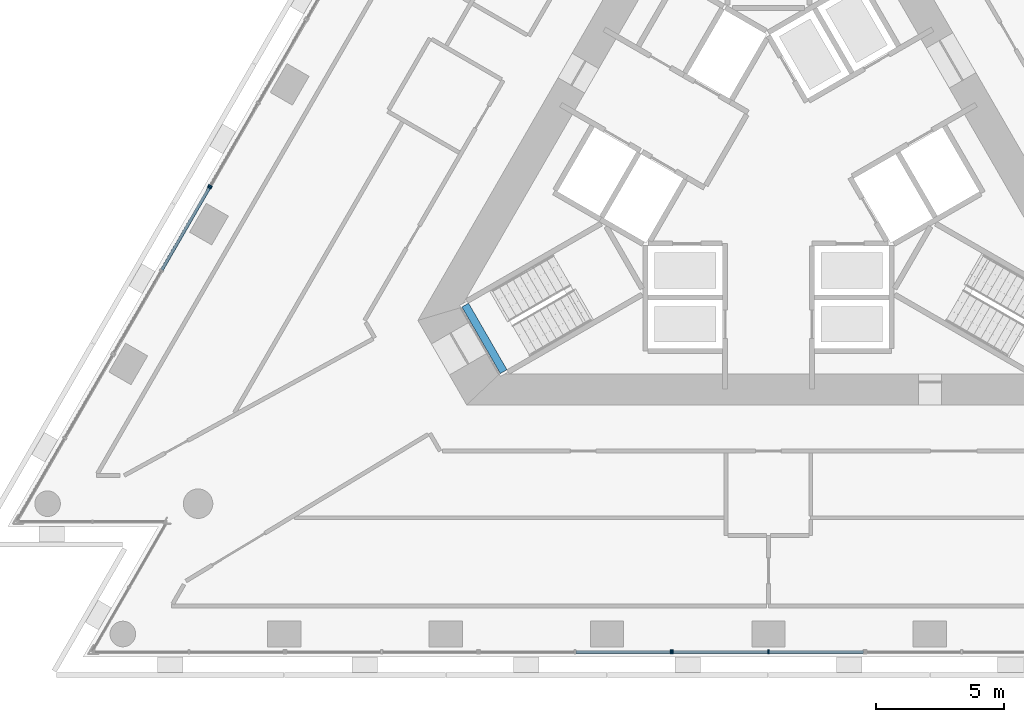
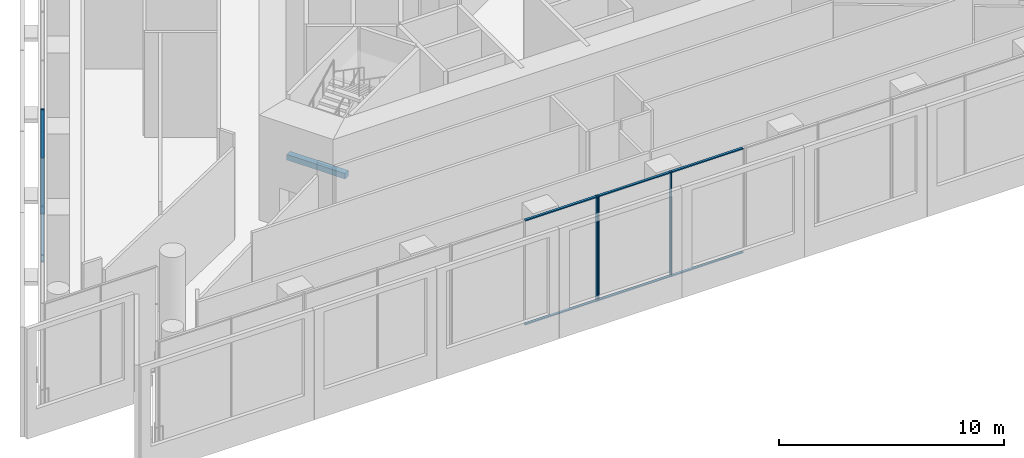
# One storey, part 3 of 18: 13 members, 1 beam, 4 elements without a shape of their own.
"""IFC4 building model written with IfcOpenShell, lengths in metres."""

from ifc_helpers import new_model, si_unit, direction, frame, origin, origin_2d, place, context, subcontext, project, spatial, rectangle, extrude, material, layer, layer_set, material_profile, profile_set, type_object, element, aggregate, save


model = new_model("IFC4")

# Units and contexts
model_context = context("Model", 3, precision=1e-05, world=origin(), true_north=direction((0.0, 1.0)))
body_context = subcontext(model_context, "Body", "Model", "MODEL_VIEW")
ifc_project = project(units=[si_unit("LENGTHUNIT", "METRE"), si_unit("AREAUNIT", "SQUARE_METRE"), si_unit("VOLUMEUNIT", "CUBIC_METRE"), si_unit("PLANEANGLEUNIT", "RADIAN"), si_unit("MASSUNIT", "GRAM", prefix="KILO")], contexts=[model_context])

# Site, building, storey
site_placement = place(None, origin())
site = spatial("IfcSite", under=ifc_project, at=site_placement, CompositionType="ELEMENT")
building_placement = place(site_placement, origin())
building = spatial("IfcBuilding", under=site, at=building_placement, Name="Triada Interchange Tower", CompositionType="ELEMENT")
storey_placement = place(building_placement, frame((0.0, 0.0, 185.300048828125)))
storey = spatial("IfcBuildingStorey", under=building, at=storey_placement, Name="L43", CompositionType="ELEMENT", Elevation=185.300048828125)

# Beam
ifc_material_1 = material(Name="Concrete C35/45", Category="concrete")
ifc_material_profile_1 = material_profile(ifc_material_1, rectangle(XDim=0.300048828125, YDim=0.300048828125, at=origin_2d()), Name="RC 300x300")
ifc_profile_set_1 = profile_set([ifc_material_profile_1], Name="Concrete C35/45")
beam_type = type_object("IfcBeamType", Name="Landing support beam RC 300x300", PredefinedType="BEAM", material=ifc_profile_set_1)
beam_placement = place(storey_placement, frame((-11.8349609375, -5.10107421875, 2.491943359375), z_axis=(0.50002537861, -0.866010750942, 0.0), x_axis=(0.866010750942, 0.50002537861, 0.0)))
element("IfcBeam", 1, at=beam_placement, inside=storey, type_object=beam_type, Name="Landing support beam S43-2 1", PredefinedType="BEAM", context=body_context, shape_type="SweptSolid", body=[
    extrude(rectangle(XDim=0.300048828125, YDim=0.300048828125, at=origin_2d()), origin(), (0.0, 0.0, 1.0), 2.999755859375),
])

# Curtain wall, member
ifc_material_2 = material(Name="Aluminium framed glazing", Category="aluminium")
ifc_layer = layer(ifc_material_2, 0.199951171875)
ifc_layer_set = layer_set([ifc_layer], Name="Curtain wall Sky lobby glazing")
curtain_wall_type = type_object("IfcCurtainWallType", Name="Curtain wall Sky lobby glazing", PredefinedType="NOTDEFINED", material=ifc_layer_set)
curtain_wall_1_placement = place(storey_placement, origin())
curtain_wall_1 = element("IfcCurtainWall", 2, at=curtain_wall_1_placement, inside=storey, type_object=curtain_wall_type, Name="Sky lobby glazing CW105 L43", PredefinedType="NOTDEFINED")
ifc_material_3 = material(Name="Aluminium", Category="aluminium")
ifc_material_profile_2 = material_profile(ifc_material_3, rectangle(XDim=0.159912109375, YDim=0.06005859375, at=origin_2d()), Name="Aluminium mullion")
ifc_profile_set_2 = profile_set([ifc_material_profile_2], Name="Aluminium")
member_type_1 = type_object("IfcMemberType", Name="Mullion Sky lobby glazing 160x60", PredefinedType="MULLION", material=ifc_profile_set_2)
member_1_placement = place(storey_placement, frame((-21.785888671875, -0.453125, 0.0), z_axis=(0.0, 0.0, 1.0), x_axis=(0.866046386007, -0.499963655963, 0.0)))
member_1 = element("IfcMember", 3, at=member_1_placement, type_object=member_type_1, Name="CW105 mullion 3", PredefinedType="MULLION", context=body_context, shape_type="SweptSolid", body=[
    extrude(rectangle(XDim=0.159912109375, YDim=0.06005859375, at=origin_2d()), origin(), (0.0, 0.0, 1.0), 5.699951171875),
])
aggregate(curtain_wall_1, [member_1])

curtain_wall_2_placement = place(storey_placement, origin())
curtain_wall_2 = element("IfcCurtainWall", 4, at=curtain_wall_2_placement, inside=storey, type_object=curtain_wall_type, Name="Sky lobby glazing CW106 L43", PredefinedType="NOTDEFINED")
member_2_placement = place(storey_placement, frame((-21.821044921875, -0.512939453125, 0.0), z_axis=(0.0, 0.0, 1.0), x_axis=(0.86598893184, -0.500063165941, 0.0)))
member_2 = element("IfcMember", 5, at=member_2_placement, type_object=member_type_1, Name="CW106 mullion 1", PredefinedType="MULLION", context=body_context, shape_type="SweptSolid", body=[
    extrude(rectangle(XDim=0.159912109375, YDim=0.06005859375, at=origin_2d()), origin(), (0.0, 0.0, 1.0), 5.699951171875),
])

curtain_wall_3_placement = place(storey_placement, origin())
curtain_wall_3 = element("IfcCurtainWall", 6, at=curtain_wall_3_placement, inside=storey, type_object=curtain_wall_type, Name="Sky lobby glazing CW112 L43", PredefinedType="NOTDEFINED")
member_3_placement = place(storey_placement, frame((-3.80810546875, -18.64111328125, 0.0), z_axis=(0.0, 0.0, 1.0), x_axis=(0.0, 1.0, 0.0)))
member_3 = element("IfcMember", 7, at=member_3_placement, type_object=member_type_1, Name="CW112 mullion 3", PredefinedType="MULLION", context=body_context, shape_type="SweptSolid", body=[
    extrude(rectangle(XDim=0.159912109375, YDim=0.06005859375, at=origin_2d()), origin(), (0.0, 0.0, 1.0), 5.699951171875),
])

# Curtain wall, members
curtain_wall_4_placement = place(storey_placement, origin())
curtain_wall_4 = element("IfcCurtainWall", 8, at=curtain_wall_4_placement, inside=storey, type_object=curtain_wall_type, Name="Sky lobby glazing CW113 L43", PredefinedType="NOTDEFINED")
member_4_placement = place(storey_placement, frame((-3.738037109375, -18.64111328125, 0.0), z_axis=(0.0, 0.0, 1.0), x_axis=(0.0, 1.0, 0.0)))
member_4 = element("IfcMember", 9, at=member_4_placement, type_object=member_type_1, Name="CW113 mullion 1", PredefinedType="MULLION", context=body_context, shape_type="SweptSolid", body=[
    extrude(rectangle(XDim=0.159912109375, YDim=0.06005859375, at=origin_2d()), origin(), (0.0, 0.0, 1.0), 5.699951171875),
])
member_5_placement = place(storey_placement, frame((0.0, -18.64111328125, 0.0), z_axis=(0.0, 0.0, 1.0), x_axis=(0.0, 1.0, 0.0)))
member_5 = element("IfcMember", 10, at=member_5_placement, type_object=member_type_1, Name="CW113 mullion 2", PredefinedType="MULLION", context=body_context, shape_type="SweptSolid", body=[
    extrude(rectangle(XDim=0.159912109375, YDim=0.06005859375, at=origin_2d()), origin(), (0.0, 0.0, 1.0), 5.699951171875),
])

# Member
ifc_material_profile_3 = material_profile(ifc_material_3, rectangle(XDim=0.1201171875, YDim=0.06005859375, at=origin_2d()), Name="Aluminium transom")
ifc_profile_set_3 = profile_set([ifc_material_profile_3], Name="Aluminium")
member_type_2 = type_object("IfcMemberType", Name="Transom Sky lobby glazing 120x60", PredefinedType="USERDEFINED", material=ifc_profile_set_3)
member_6_placement = place(storey_placement, frame((-21.8359375, -0.5390625, 0.030029296875), z_axis=(-0.500086294141, -0.865975576106, 0.0), x_axis=(0.865975576106, -0.500086294141, 0.0)))
member_6 = element("IfcMember", 11, at=member_6_placement, type_object=member_type_2, Name="CW106 transom 1.1", ObjectType="TRANSOM", PredefinedType="USERDEFINED", context=body_context, shape_type="SweptSolid", body=[
    extrude(rectangle(XDim=0.1201171875, YDim=0.06005859375, at=origin_2d()), origin(), (0.0, 0.0, 1.0), 3.678466796875),
])

member_7_placement = place(storey_placement, frame((-21.8359375, -0.5390625, 5.669921875), z_axis=(-0.500086294141, -0.865975576106, 0.0), x_axis=(0.865975576106, -0.500086294141, 0.0)))
member_7 = element("IfcMember", 12, at=member_7_placement, type_object=member_type_2, Name="CW106 transom 1.2", ObjectType="TRANSOM", PredefinedType="USERDEFINED", context=body_context, shape_type="SweptSolid", body=[
    extrude(rectangle(XDim=0.1201171875, YDim=0.06005859375, at=origin_2d()), origin(), (0.0, 0.0, 1.0), 3.678466796875),
])

aggregate(curtain_wall_2, [member_2, member_6, member_7])

member_8_placement = place(storey_placement, frame((-7.5166015625, -18.64111328125, 0.030029296875), z_axis=(1.0, 0.0, 0.0), x_axis=(0.0, 1.0, 0.0)))
member_8 = element("IfcMember", 13, at=member_8_placement, type_object=member_type_2, Name="CW112 transom 2.1", ObjectType="TRANSOM", PredefinedType="USERDEFINED", context=body_context, shape_type="SweptSolid", body=[
    extrude(rectangle(XDim=0.1201171875, YDim=0.06005859375, at=origin_2d()), origin(), (0.0, 0.0, 1.0), 3.6787109375),
])

member_9_placement = place(storey_placement, frame((-7.5166015625, -18.64111328125, 5.669921875), z_axis=(1.0, 0.0, 0.0), x_axis=(0.0, 1.0, 0.0)))
member_9 = element("IfcMember", 14, at=member_9_placement, type_object=member_type_2, Name="CW112 transom 2.2", ObjectType="TRANSOM", PredefinedType="USERDEFINED", context=body_context, shape_type="SweptSolid", body=[
    extrude(rectangle(XDim=0.1201171875, YDim=0.06005859375, at=origin_2d()), origin(), (0.0, 0.0, 1.0), 3.6787109375),
])

aggregate(curtain_wall_3, [member_3, member_8, member_9])

member_10_placement = place(storey_placement, frame((-3.7080078125, -18.64111328125, 0.030029296875), z_axis=(1.0, 0.0, 0.0), x_axis=(0.0, 1.0, 0.0)))
member_10 = element("IfcMember", 15, at=member_10_placement, type_object=member_type_2, Name="CW113 transom 1.1", ObjectType="TRANSOM", PredefinedType="USERDEFINED", context=body_context, shape_type="SweptSolid", body=[
    extrude(rectangle(XDim=0.1201171875, YDim=0.06005859375, at=origin_2d()), origin(), (0.0, 0.0, 1.0), 3.677978515625),
])

member_11_placement = place(storey_placement, frame((-3.7080078125, -18.64111328125, 5.669921875), z_axis=(1.0, 0.0, 0.0), x_axis=(0.0, 1.0, 0.0)))
member_11 = element("IfcMember", 16, at=member_11_placement, type_object=member_type_2, Name="CW113 transom 1.2", ObjectType="TRANSOM", PredefinedType="USERDEFINED", context=body_context, shape_type="SweptSolid", body=[
    extrude(rectangle(XDim=0.1201171875, YDim=0.06005859375, at=origin_2d()), origin(), (0.0, 0.0, 1.0), 3.677978515625),
])

member_12_placement = place(storey_placement, frame((0.030029296875, -18.64111328125, 0.030029296875), z_axis=(1.0, 0.0, 0.0), x_axis=(0.0, 1.0, 0.0)))
member_12 = element("IfcMember", 17, at=member_12_placement, type_object=member_type_2, Name="CW113 transom 2.1", ObjectType="TRANSOM", PredefinedType="USERDEFINED", context=body_context, shape_type="SweptSolid", body=[
    extrude(rectangle(XDim=0.1201171875, YDim=0.06005859375, at=origin_2d()), origin(), (0.0, 0.0, 1.0), 3.677978515625),
])

member_13_placement = place(storey_placement, frame((0.030029296875, -18.64111328125, 5.669921875), z_axis=(1.0, 0.0, 0.0), x_axis=(0.0, 1.0, 0.0)))
member_13 = element("IfcMember", 18, at=member_13_placement, type_object=member_type_2, Name="CW113 transom 2.2", ObjectType="TRANSOM", PredefinedType="USERDEFINED", context=body_context, shape_type="SweptSolid", body=[
    extrude(rectangle(XDim=0.1201171875, YDim=0.06005859375, at=origin_2d()), origin(), (0.0, 0.0, 1.0), 3.677978515625),
])

aggregate(curtain_wall_4, [member_4, member_5, member_10, member_11, member_12, member_13])

save(model, "model.ifc")
